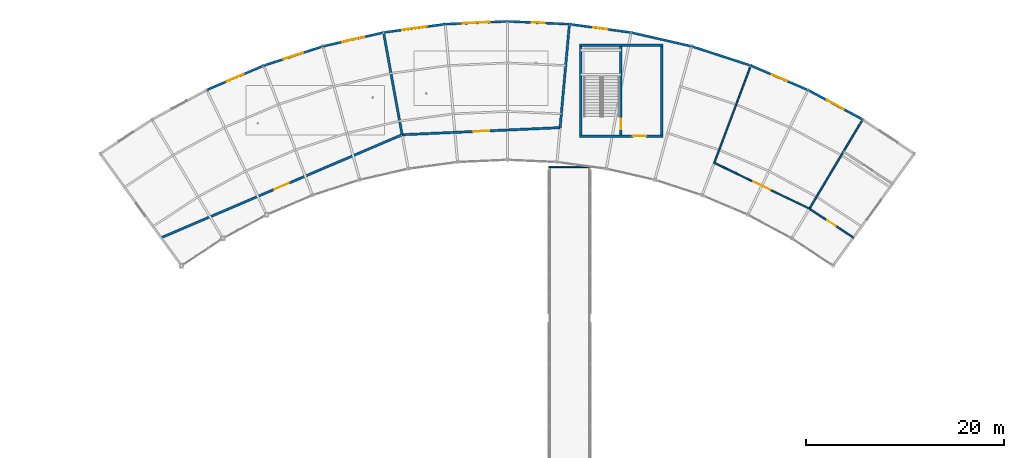
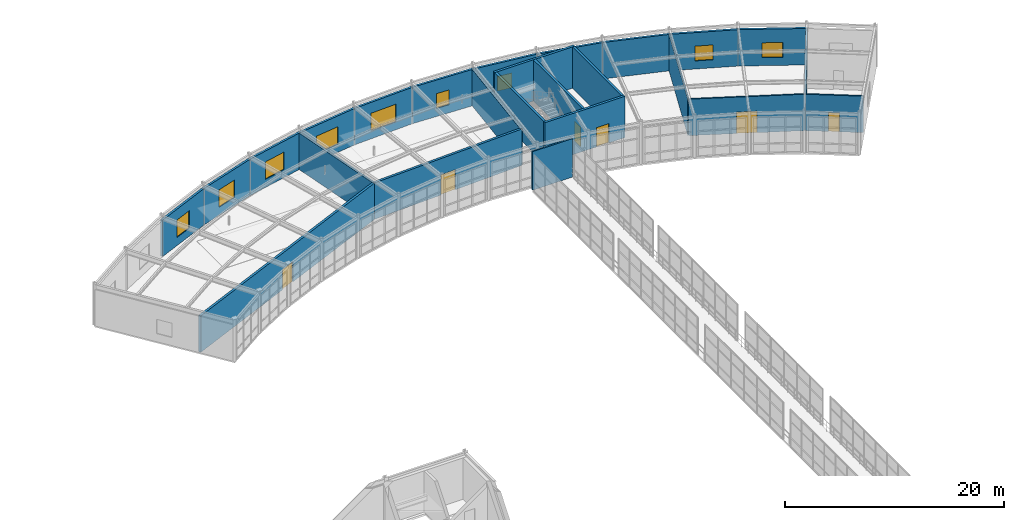
# One storey, part 90 of 105: 25 walls, 9 windows, 6 doors, 15 openings.
"""IFC4 building model written with IfcOpenShell, lengths in metres."""

from ifc_helpers import new_model, si_unit, direction, frame, frame_2d, origin, place, context, subcontext, project, spatial, rectangle, extrude, material, layer, layer_set, type_object, element, fill, save


model = new_model("IFC4")

# Units and contexts
model_context = context("Model", 3, precision=1e-05, world=origin(), true_north=direction((0.0, 1.0)))
body_context = subcontext(model_context, "Body", "Model", "MODEL_VIEW")
ifc_project = project(units=[si_unit("LENGTHUNIT", "METRE"), si_unit("AREAUNIT", "SQUARE_METRE"), si_unit("VOLUMEUNIT", "CUBIC_METRE"), si_unit("PLANEANGLEUNIT", "RADIAN"), si_unit("MASSUNIT", "GRAM", prefix="KILO")], contexts=[model_context])

# Site, building, storey
site_placement = place(None, origin())
site = spatial("IfcSite", under=ifc_project, at=site_placement, CompositionType="ELEMENT")
building_placement = place(site_placement, origin())
building = spatial("IfcBuilding", under=site, at=building_placement, Name="Selat Folded Stagehouse", CompositionType="ELEMENT")
storey_placement = place(building_placement, frame((0.0, 0.0, 10.199951171875)))
storey = spatial("IfcBuildingStorey", under=building, at=storey_placement, Name="L02", CompositionType="ELEMENT", Elevation=10.199951171875)

# Wall, opening, door
ifc_material_1 = material(Name="Double-stud acoustic gypsum and mineral wool", Category="gypsum")
ifc_layer_1 = layer(ifc_material_1, 0.239990234375)
ifc_layer_set_1 = layer_set([ifc_layer_1], Name="Double-stud acoustic gypsum and mineral wool")
wall_type_1 = type_object("IfcWallType", Name="WAL-ACOU-240", PredefinedType="PARTITIONING", material=ifc_layer_set_1)
wall_1_placement = place(storey_placement, frame((57.4267578125, 86.136474609375, 0.0), z_axis=(0.0, 0.0, 1.0), x_axis=(0.919528963336, 0.393022245664, 0.0)))
wall_1 = element("IfcWall", 1, at=wall_1_placement, inside=storey, type_object=wall_type_1, Name="L02 interior partition wall 081", PredefinedType="PARTITIONING", context=body_context, shape_type="SweptSolid", body=[
    extrude(rectangle(XDim=26.47998046875, YDim=0.239990234375, at=frame_2d((13.239990234375, 0.0))), origin(), (0.0, 0.0, 1.0), 4.05908203125),
])
opening_1_placement = place(wall_1_placement, frame((12.43994140625, 0.0, 0.0)))
opening_1 = element("IfcOpeningElement", 2, at=opening_1_placement, cuts=wall_1, Name="Opening RD-01", PredefinedType="OPENING", context=body_context, shape_type="SweptSolid", body=[
    extrude(rectangle(XDim=1.60009765625, YDim=2.25, at=frame_2d((0.800048828125, 1.125))), frame((0.0, 0.1298828125, 0.0), z_axis=(0.0, -1.0, 0.0), x_axis=(1.0, 0.0, 0.0)), (0.0, 0.0, 1.0), 0.260009765625),
])
ifc_material_2 = material(Name="Rehearsal studio acoustic leaf-and-half door", Category="wood")
door_type_1 = type_object("IfcDoorType", Name="DOR-REH-1600", OperationType="NOTDEFINED", PredefinedType="DOOR", material=ifc_material_2)
door_1_placement = place(opening_1_placement, origin())
door_1 = element("IfcDoor", 3, at=door_1_placement, inside=storey, type_object=door_type_1, Name="L02 interior door IWAL-L02-081-1", OperationType="SINGLE_SWING_LEFT", OverallHeight=2.25, OverallWidth=1.60009765625, PredefinedType="DOOR", context=body_context, shape_type="SweptSolid", body=[
    extrude(rectangle(XDim=1.60009765625, YDim=2.25, at=frame_2d((0.800048828125, 1.125))), frame((0.0, 0.02490234375, 0.0), z_axis=(0.0, -1.0, 0.0), x_axis=(1.0, 0.0, 0.0)), (0.0, 0.0, 1.0), 0.050048828125),
])
fill(opening_1, door_1)

wall_2_placement = place(storey_placement, frame((81.77587890625, 96.543701171875, 0.0), z_axis=(0.0, 0.0, 1.0), x_axis=(0.998992662888, 0.044873817482, 0.0)))
wall_2 = element("IfcWall", 4, at=wall_2_placement, inside=storey, type_object=wall_type_1, Name="L02 interior partition wall 082", PredefinedType="PARTITIONING", context=body_context, shape_type="SweptSolid", body=[
    extrude(rectangle(XDim=15.9736328125, YDim=0.239990234375, at=frame_2d((7.98681640625, 0.0))), origin(), (0.0, 0.0, 1.0), 4.05908203125),
])
opening_2_placement = place(wall_2_placement, frame((7.186767578125, 0.0, 0.0)))
opening_2 = element("IfcOpeningElement", 5, at=opening_2_placement, cuts=wall_2, Name="Opening RD-01", PredefinedType="OPENING", context=body_context, shape_type="SweptSolid", body=[
    extrude(rectangle(XDim=1.60009765625, YDim=2.25, at=frame_2d((0.800048828125, 1.125))), frame((0.0, 0.1298828125, 0.0), z_axis=(0.0, -1.0, 0.0), x_axis=(1.0, 0.0, 0.0)), (0.0, 0.0, 1.0), 0.260009765625),
])
door_2_placement = place(opening_2_placement, origin())
door_2 = element("IfcDoor", 6, at=door_2_placement, inside=storey, type_object=door_type_1, Name="L02 interior door IWAL-L02-082-1", OperationType="SINGLE_SWING_RIGHT", OverallHeight=2.25, OverallWidth=1.60009765625, PredefinedType="DOOR", context=body_context, shape_type="SweptSolid", body=[
    extrude(rectangle(XDim=1.60009765625, YDim=2.25, at=frame_2d((0.800048828125, 1.125))), frame((0.0, 0.02490234375, 0.0), z_axis=(0.0, -1.0, 0.0), x_axis=(1.0, 0.0, 0.0)), (0.0, 0.0, 1.0), 0.050048828125),
])
fill(opening_2, door_2)

# Walls
for number, where, z_axis, x_axis, name in (
    (7, (81.77587890625, 96.543701171875, 0.0), (0.0, 0.0, 1.0), (-0.178570326803, 0.983927150954, 0.0), "L02 interior partition wall 086"),
    (8, (97.7333984375, 97.260498046875, 0.0), (0.0, 0.0, 1.0), (0.089657304348, 0.995972674212, 0.0), "L02 interior partition wall 087"),
):
    element("IfcWall", number, at=place(storey_placement, frame(where, z_axis=z_axis, x_axis=x_axis)), inside=storey, type_object=wall_type_1, Name=name, PredefinedType="PARTITIONING", context=body_context, shape_type="SweptSolid", body=[
        extrude(rectangle(XDim=10.5, YDim=0.239990234375, at=frame_2d((5.25, 0.0))), origin(), (0.0, 0.0, 1.0), 4.05908203125),
    ])

# Wall, opening, door
ifc_material_3 = material(Name="Concrete C50/60", Category="concrete")
ifc_layer_2 = layer(ifc_material_3, 0.25)
ifc_layer_set_2 = layer_set([ifc_layer_2], Name="Concrete C50/60")
wall_type_2 = type_object("IfcWallType", Name="WAL-CORE-250", PredefinedType="SHEAR", material=ifc_layer_set_2)
wall_3_placement = place(storey_placement, frame((108.125, 96.39990234375, 0.0), z_axis=(0.0, 0.0, 1.0), x_axis=(-1.0, 0.0, 0.0)))
wall_3 = element("IfcWall", 9, at=wall_3_placement, inside=storey, type_object=wall_type_2, Name="L02 CR-6 south shear wall", PredefinedType="SHEAR", context=body_context, shape_type="SweptSolid", body=[
    extrude(rectangle(XDim=8.449951171875, YDim=0.25, at=frame_2d((4.22509765625, 0.0))), origin(), (0.0, 0.0, 1.0), 4.60009765625),
])
opening_3_placement = place(wall_3_placement, frame((1.699951171875, 0.0, 0.0)))
opening_3 = element("IfcOpeningElement", 10, at=opening_3_placement, cuts=wall_3, Name="Opening FD-60B", PredefinedType="OPENING", context=body_context, shape_type="SweptSolid", body=[
    extrude(rectangle(XDim=1.35009765625, YDim=2.14990234375, at=frame_2d((0.675048828125, 1.074951171875))), frame((0.0, 0.135009765625, 0.0), z_axis=(0.0, -1.0, 0.0), x_axis=(1.0, 0.0, 0.0)), (0.0, 0.0, 1.0), 0.27001953125),
])
ifc_material_4 = material(Name="Protected stair escape door", Category="wood")
door_type_2 = type_object("IfcDoorType", Name="DOR-STR-1350", OperationType="NOTDEFINED", PredefinedType="DOOR", material=ifc_material_4)
door_3_placement = place(opening_3_placement, origin())
door_3 = element("IfcDoor", 11, at=door_3_placement, inside=storey, type_object=door_type_2, Name="L02 CR-6 core lobby fire door", OperationType="SINGLE_SWING_RIGHT", OverallHeight=2.14990234375, OverallWidth=1.35009765625, PredefinedType="DOOR", context=body_context, shape_type="SweptSolid", body=[
    extrude(rectangle(XDim=1.35009765625, YDim=2.14990234375, at=frame_2d((0.675048828125, 1.074951171875))), frame((0.0, 0.02490234375, 0.0), z_axis=(0.0, -1.0, 0.0), x_axis=(1.0, 0.0, 0.0)), (0.0, 0.0, 1.0), 0.050048828125),
])
fill(opening_3, door_3)

# Walls
wall_4_placement = place(storey_placement, frame((99.675048828125, 105.60009765625, 0.0), z_axis=(0.0, 0.0, 1.0), x_axis=(1.0, 0.0, 0.0)))
element("IfcWall", 12, at=wall_4_placement, inside=storey, type_object=wall_type_2, Name="L02 CR-6 north shear wall", PredefinedType="SHEAR", context=body_context, shape_type="SweptSolid", body=[
    extrude(rectangle(XDim=8.449951171875, YDim=0.25, at=frame_2d((4.22509765625, 0.0))), origin(), (0.0, 0.0, 1.0), 4.60009765625),
])
for number, where, z_axis, x_axis, name in (
    (13, (99.800048828125, 96.52490234375, 0.0), (0.0, 0.0, 1.0), (0.0, 1.0, 0.0), "L02 CR-6 west shear wall"),
    (14, (108.0, 105.47509765625, 0.0), (0.0, 0.0, 1.0), (0.0, -1.0, 0.0), "L02 CR-6 east shear wall"),
):
    element("IfcWall", number, at=place(storey_placement, frame(where, z_axis=z_axis, x_axis=x_axis)), inside=storey, type_object=wall_type_2, Name=name, PredefinedType="SHEAR", context=body_context, shape_type="SweptSolid", body=[
        extrude(rectangle(XDim=8.9501953125, YDim=0.25, at=frame_2d((4.47509765625, 0.0))), origin(), (0.0, 0.0, 1.0), 4.60009765625),
    ])

# Wall, opening, door
wall_5_placement = place(storey_placement, frame((103.8798828125, 105.47509765625, 0.0), z_axis=(0.0, 0.0, 1.0), x_axis=(0.0, -1.0, 0.0)))
wall_5 = element("IfcWall", 15, at=wall_5_placement, inside=storey, type_object=wall_type_2, Name="L02 CR-6 internal core divider wall", PredefinedType="SHEAR", context=body_context, shape_type="SweptSolid", body=[
    extrude(rectangle(XDim=8.9501953125, YDim=0.25, at=frame_2d((4.47509765625, 0.0))), origin(), (0.0, 0.0, 1.0), 4.60009765625),
])
opening_4_placement = place(wall_5_placement, frame((7.300048828125, 0.0, 0.0)))
opening_4 = element("IfcOpeningElement", 16, at=opening_4_placement, cuts=wall_5, Name="Opening FD-60", PredefinedType="OPENING", context=body_context, shape_type="SweptSolid", body=[
    extrude(rectangle(XDim=1.10009765625, YDim=2.14990234375, at=frame_2d((0.550048828125, 1.074951171875))), frame((0.0, 0.135009765625, 0.0), z_axis=(0.0, -1.0, 0.0), x_axis=(1.0, 0.0, 0.0)), (0.0, 0.0, 1.0), 0.27001953125),
])
ifc_material_5 = material(Name="Fire-rated timber core door", Category="wood")
door_type_3 = type_object("IfcDoorType", Name="DOR-FIRE-60", OperationType="NOTDEFINED", PredefinedType="DOOR", material=ifc_material_5)
door_4_placement = place(opening_4_placement, origin())
door_4 = element("IfcDoor", 17, at=door_4_placement, inside=storey, type_object=door_type_3, Name="L02 CR-6 protected stair fire door", OperationType="SINGLE_SWING_LEFT", OverallHeight=2.14990234375, OverallWidth=1.10009765625, PredefinedType="DOOR", context=body_context, shape_type="SweptSolid", body=[
    extrude(rectangle(XDim=1.10009765625, YDim=2.14990234375, at=frame_2d((0.550048828125, 1.074951171875))), frame((0.0, 0.02490234375, 0.0), z_axis=(0.0, -1.0, 0.0), x_axis=(1.0, 0.0, 0.0)), (0.0, 0.0, 1.0), 0.050048828125),
])
fill(opening_4, door_4)

# Wall, opening, window
ifc_material_6 = material(Name="Precast concrete C40/50", Category="concrete")
ifc_layer_3 = layer(ifc_material_6, 0.22998046875)
ifc_layer_set_3 = layer_set([ifc_layer_3], Name="Precast concrete C40/50")
wall_type_3 = type_object("IfcWallType", Name="WAL-EXT-230", PredefinedType="STANDARD", material=ifc_layer_set_3)
wall_6_placement = place(storey_placement, frame((62.028076171875, 101.06787109375, 0.0), z_axis=(0.0, 0.0, 1.0), x_axis=(0.919534614305, 0.393009024189, 0.0)))
wall_6 = element("IfcWall", 18, at=wall_6_placement, inside=storey, type_object=wall_type_3, Name="L02 exterior facade wall EW-L02-V6OUT-02", PredefinedType="STANDARD", context=body_context, shape_type="SweptSolid", body=[
    extrude(rectangle(XDim=6.281005859375, YDim=0.22998046875, at=frame_2d((3.140625, 0.0))), origin(), (0.0, 0.0, 1.0), 4.05908203125),
])
opening_5_placement = place(wall_6_placement, frame((2.190673828125, 0.0, 0.89990234375)))
opening_5 = element("IfcOpeningElement", 19, at=opening_5_placement, cuts=wall_6, Name="Opening WN-31", PredefinedType="OPENING", context=body_context, shape_type="SweptSolid", body=[
    extrude(rectangle(XDim=1.89990234375, YDim=1.949951171875, at=frame_2d((0.949951171875, 0.97509765625))), frame((0.0, 0.125, 0.0), z_axis=(0.0, -1.0, 0.0), x_axis=(1.0, 0.0, 0.0)), (0.0, 0.0, 1.0), 0.25),
])
ifc_material_7 = material(Name="Thermally broken aluminium and acoustic low-E glass", Category="aluminium")
window_type_1 = type_object("IfcWindowType", Name="WIN-ED-1900x1950", PartitioningType="SINGLE_PANEL", PredefinedType="WINDOW", material=ifc_material_7)
window_1_placement = place(opening_5_placement, origin())
window_1 = element("IfcWindow", 20, at=window_1_placement, inside=storey, type_object=window_type_1, Name="L02 exterior window EW-L02-V6OUT-02-1", OverallHeight=1.949951171875, OverallWidth=1.89990234375, PartitioningType="SINGLE_PANEL", PredefinedType="WINDOW", context=body_context, shape_type="SweptSolid", body=[
    extrude(rectangle(XDim=1.89990234375, YDim=1.949951171875, at=frame_2d((0.949951171875, 0.97509765625))), frame((0.0, 0.030029296875, 0.0), z_axis=(0.0, -1.0, 0.0), x_axis=(1.0, 0.0, 0.0)), (0.0, 0.0, 1.0), 0.06005859375),
])
fill(opening_5, window_1)

wall_7_placement = place(storey_placement, frame((67.8037109375, 103.536376953125, 0.0), z_axis=(0.0, 0.0, 1.0), x_axis=(0.951058059905, 0.309012243593, 0.0)))
wall_7 = element("IfcWall", 21, at=wall_7_placement, inside=storey, type_object=wall_type_3, Name="L02 exterior facade wall EW-L02-V6OUT-03", PredefinedType="STANDARD", context=body_context, shape_type="SweptSolid", body=[
    extrude(rectangle(XDim=6.281005859375, YDim=0.22998046875, at=frame_2d((3.140625, 0.0))), origin(), (0.0, 0.0, 1.0), 4.05908203125),
])
opening_6_placement = place(wall_7_placement, frame((2.090576171875, 0.0, 0.89990234375)))
opening_6 = element("IfcOpeningElement", 22, at=opening_6_placement, cuts=wall_7, Name="Opening WN-30", PredefinedType="OPENING", context=body_context, shape_type="SweptSolid", body=[
    extrude(rectangle(XDim=2.10009765625, YDim=1.949951171875, at=frame_2d((1.050048828125, 0.97509765625))), frame((0.0, 0.125, 0.0), z_axis=(0.0, -1.0, 0.0), x_axis=(1.0, 0.0, 0.0)), (0.0, 0.0, 1.0), 0.25),
])
window_type_2 = type_object("IfcWindowType", Name="WIN-ED-2100x1950", PartitioningType="SINGLE_PANEL", PredefinedType="WINDOW", material=ifc_material_7)
window_2_placement = place(opening_6_placement, origin())
window_2 = element("IfcWindow", 23, at=window_2_placement, inside=storey, type_object=window_type_2, Name="L02 exterior window EW-L02-V6OUT-03-1", OverallHeight=1.949951171875, OverallWidth=2.10009765625, PartitioningType="SINGLE_PANEL", PredefinedType="WINDOW", context=body_context, shape_type="SweptSolid", body=[
    extrude(rectangle(XDim=2.10009765625, YDim=1.949951171875, at=frame_2d((1.050048828125, 0.97509765625))), frame((0.0, 0.030029296875, 0.0), z_axis=(0.0, -1.0, 0.0), x_axis=(1.0, 0.0, 0.0)), (0.0, 0.0, 1.0), 0.06005859375),
])
fill(opening_6, window_2)

wall_8_placement = place(storey_placement, frame((73.77734375, 105.477294921875, 0.0), z_axis=(0.0, 0.0, 1.0), x_axis=(0.974926249486, 0.222528218575, 0.0)))
wall_8 = element("IfcWall", 24, at=wall_8_placement, inside=storey, type_object=wall_type_3, Name="L02 exterior facade wall EW-L02-V6OUT-04", PredefinedType="STANDARD", context=body_context, shape_type="SweptSolid", body=[
    extrude(rectangle(XDim=6.281005859375, YDim=0.22998046875, at=frame_2d((3.140625, 0.0))), origin(), (0.0, 0.0, 1.0), 4.05908203125),
])
opening_7_placement = place(wall_8_placement, frame((1.990478515625, 0.0, 0.89990234375)))
opening_7 = element("IfcOpeningElement", 25, at=opening_7_placement, cuts=wall_8, Name="Opening WN-29", PredefinedType="OPENING", context=body_context, shape_type="SweptSolid", body=[
    extrude(rectangle(XDim=2.300048828125, YDim=1.949951171875, at=frame_2d((1.14990234375, 0.97509765625))), frame((0.0, 0.125, 0.0), z_axis=(0.0, -1.0, 0.0), x_axis=(1.0, 0.0, 0.0)), (0.0, 0.0, 1.0), 0.25),
])
window_type_3 = type_object("IfcWindowType", Name="WIN-ED-2300x1950", PartitioningType="SINGLE_PANEL", PredefinedType="WINDOW", material=ifc_material_7)
window_3_placement = place(opening_7_placement, origin())
window_3 = element("IfcWindow", 26, at=window_3_placement, inside=storey, type_object=window_type_3, Name="L02 exterior window EW-L02-V6OUT-04-1", OverallHeight=1.949951171875, OverallWidth=2.300048828125, PartitioningType="SINGLE_PANEL", PredefinedType="WINDOW", context=body_context, shape_type="SweptSolid", body=[
    extrude(rectangle(XDim=2.300048828125, YDim=1.949951171875, at=frame_2d((1.14990234375, 0.97509765625))), frame((0.0, 0.030029296875, 0.0), z_axis=(0.0, -1.0, 0.0), x_axis=(1.0, 0.0, 0.0)), (0.0, 0.0, 1.0), 0.06005859375),
])
fill(opening_7, window_3)

wall_9_placement = place(storey_placement, frame((79.90087890625, 106.875, 0.0), z_axis=(0.0, 0.0, 1.0), x_axis=(0.990947344037, 0.134251113014, 0.0)))
wall_9 = element("IfcWall", 27, at=wall_9_placement, inside=storey, type_object=wall_type_3, Name="L02 exterior facade wall EW-L02-V6OUT-05", PredefinedType="STANDARD", context=body_context, shape_type="SweptSolid", body=[
    extrude(rectangle(XDim=6.28125, YDim=0.22998046875, at=frame_2d((3.140625, 0.0))), origin(), (0.0, 0.0, 1.0), 4.05908203125),
])
opening_8_placement = place(wall_9_placement, frame((1.890380859375, 0.0, 0.89990234375)))
opening_8 = element("IfcOpeningElement", 28, at=opening_8_placement, cuts=wall_9, Name="Opening WN-28", PredefinedType="OPENING", context=body_context, shape_type="SweptSolid", body=[
    extrude(rectangle(XDim=2.5, YDim=1.949951171875, at=frame_2d((1.25, 0.97509765625))), frame((0.0, 0.125, 0.0), z_axis=(0.0, -1.0, 0.0), x_axis=(1.0, 0.0, 0.0)), (0.0, 0.0, 1.0), 0.25),
])
window_type_4 = type_object("IfcWindowType", Name="WIN-ED-2500x1950", PartitioningType="SINGLE_PANEL", PredefinedType="WINDOW", material=ifc_material_7)
window_4_placement = place(opening_8_placement, origin())
window_4 = element("IfcWindow", 29, at=window_4_placement, inside=storey, type_object=window_type_4, Name="L02 exterior window EW-L02-V6OUT-05-1", OverallHeight=1.949951171875, OverallWidth=2.5, PartitioningType="SINGLE_PANEL", PredefinedType="WINDOW", context=body_context, shape_type="SweptSolid", body=[
    extrude(rectangle(XDim=2.5, YDim=1.949951171875, at=frame_2d((1.25, 0.97509765625))), frame((0.0, 0.030029296875, 0.0), z_axis=(0.0, -1.0, 0.0), x_axis=(1.0, 0.0, 0.0)), (0.0, 0.0, 1.0), 0.06005859375),
])
fill(opening_8, window_4)

wall_10_placement = place(storey_placement, frame((86.125244140625, 107.71826171875, 0.0), z_axis=(0.0, 0.0, 1.0), x_axis=(0.998993472837, 0.044855782563, 0.0)))
wall_10 = element("IfcWall", 30, at=wall_10_placement, inside=storey, type_object=wall_type_3, Name="L02 exterior facade wall EW-L02-V6OUT-06", PredefinedType="STANDARD", context=body_context, shape_type="SweptSolid", body=[
    extrude(rectangle(XDim=6.281005859375, YDim=0.22998046875, at=frame_2d((3.140625, 0.0))), origin(), (0.0, 0.0, 1.0), 4.05908203125),
])
opening_9_placement = place(wall_10_placement, frame((1.79052734375, 0.0, 0.89990234375)))
opening_9 = element("IfcOpeningElement", 31, at=opening_9_placement, cuts=wall_10, Name="Opening WN-27", PredefinedType="OPENING", context=body_context, shape_type="SweptSolid", body=[
    extrude(rectangle(XDim=2.699951171875, YDim=1.949951171875, at=frame_2d((1.35009765625, 0.97509765625))), frame((0.0, 0.125, 0.0), z_axis=(0.0, -1.0, 0.0), x_axis=(1.0, 0.0, 0.0)), (0.0, 0.0, 1.0), 0.25),
])
window_type_5 = type_object("IfcWindowType", Name="WIN-ED-2700x1950", PartitioningType="SINGLE_PANEL", PredefinedType="WINDOW", material=ifc_material_7)
window_5_placement = place(opening_9_placement, origin())
window_5 = element("IfcWindow", 32, at=window_5_placement, inside=storey, type_object=window_type_5, Name="L02 exterior window EW-L02-V6OUT-06-1", OverallHeight=1.949951171875, OverallWidth=2.699951171875, PartitioningType="SINGLE_PANEL", PredefinedType="WINDOW", context=body_context, shape_type="SweptSolid", body=[
    extrude(rectangle(XDim=2.699951171875, YDim=1.949951171875, at=frame_2d((1.35009765625, 0.97509765625))), frame((0.0, 0.030029296875, 0.0), z_axis=(0.0, -1.0, 0.0), x_axis=(1.0, 0.0, 0.0)), (0.0, 0.0, 1.0), 0.06005859375),
])
fill(opening_9, window_5)

wall_11_placement = place(storey_placement, frame((92.39990234375, 108.0, 0.0), z_axis=(0.0, 0.0, 1.0), x_axis=(0.99899355104, -0.044854040849, 0.0)))
wall_11 = element("IfcWall", 33, at=wall_11_placement, inside=storey, type_object=wall_type_3, Name="L02 exterior facade wall EW-L02-V6OUT-07", PredefinedType="STANDARD", context=body_context, shape_type="SweptSolid", body=[
    extrude(rectangle(XDim=6.28125, YDim=0.22998046875, at=frame_2d((3.140625, 0.0))), origin(), (0.0, 0.0, 1.0), 4.05908203125),
])
opening_10_placement = place(wall_11_placement, frame((2.490478515625, 0.0, 0.89990234375)))
opening_10 = element("IfcOpeningElement", 34, at=opening_10_placement, cuts=wall_11, Name="Opening WN-38", PredefinedType="OPENING", context=body_context, shape_type="SweptSolid", body=[
    extrude(rectangle(XDim=1.300048828125, YDim=1.64990234375, at=frame_2d((0.64990234375, 0.824951171875))), frame((0.0, 0.125, 0.0), z_axis=(0.0, -1.0, 0.0), x_axis=(1.0, 0.0, 0.0)), (0.0, 0.0, 1.0), 0.25),
])
window_type_6 = type_object("IfcWindowType", Name="WIN-OF-1300x1650", PartitioningType="SINGLE_PANEL", PredefinedType="WINDOW", material=ifc_material_7)
window_6_placement = place(opening_10_placement, origin())
window_6 = element("IfcWindow", 35, at=window_6_placement, inside=storey, type_object=window_type_6, Name="L02 exterior window EW-L02-V6OUT-07-1", OverallHeight=1.64990234375, OverallWidth=1.300048828125, PartitioningType="SINGLE_PANEL", PredefinedType="WINDOW", context=body_context, shape_type="SweptSolid", body=[
    extrude(rectangle(XDim=1.300048828125, YDim=1.64990234375, at=frame_2d((0.64990234375, 0.824951171875))), frame((0.0, 0.030029296875, 0.0), z_axis=(0.0, -1.0, 0.0), x_axis=(1.0, 0.0, 0.0)), (0.0, 0.0, 1.0), 0.06005859375),
])
fill(opening_10, window_6)

wall_12_placement = place(storey_placement, frame((98.6748046875, 107.71826171875, 0.0), z_axis=(0.0, 0.0, 1.0), x_axis=(0.990946643459, -0.134256284087, 0.0)))
wall_12 = element("IfcWall", 36, at=wall_12_placement, inside=storey, type_object=wall_type_3, Name="L02 exterior facade wall EW-L02-V6OUT-08", PredefinedType="STANDARD", context=body_context, shape_type="SweptSolid", body=[
    extrude(rectangle(XDim=6.281005859375, YDim=0.22998046875, at=frame_2d((3.140625, 0.0))), origin(), (0.0, 0.0, 1.0), 4.05908203125),
])
opening_11_placement = place(wall_12_placement, frame((2.41552734375, 0.0, 0.89990234375)))
opening_11 = element("IfcOpeningElement", 37, at=opening_11_placement, cuts=wall_12, Name="Opening WN-37", PredefinedType="OPENING", context=body_context, shape_type="SweptSolid", body=[
    extrude(rectangle(XDim=1.449951171875, YDim=1.64990234375, at=frame_2d((0.72509765625, 0.824951171875))), frame((0.0, 0.125, 0.0), z_axis=(0.0, -1.0, 0.0), x_axis=(1.0, 0.0, 0.0)), (0.0, 0.0, 1.0), 0.25),
])
window_type_7 = type_object("IfcWindowType", Name="WIN-OF-1450x1650", PartitioningType="SINGLE_PANEL", PredefinedType="WINDOW", material=ifc_material_7)
window_7_placement = place(opening_11_placement, origin())
window_7 = element("IfcWindow", 38, at=window_7_placement, inside=storey, type_object=window_type_7, Name="L02 exterior window EW-L02-V6OUT-08-1", OverallHeight=1.64990234375, OverallWidth=1.449951171875, PartitioningType="SINGLE_PANEL", PredefinedType="WINDOW", context=body_context, shape_type="SweptSolid", body=[
    extrude(rectangle(XDim=1.449951171875, YDim=1.64990234375, at=frame_2d((0.72509765625, 0.824951171875))), frame((0.0, 0.030029296875, 0.0), z_axis=(0.0, -1.0, 0.0), x_axis=(1.0, 0.0, 0.0)), (0.0, 0.0, 1.0), 0.06005859375),
])
fill(opening_11, window_7)

# Walls
wall_13_placement = place(storey_placement, frame((104.89892578125, 106.875, 0.0), z_axis=(0.0, 0.0, 1.0), x_axis=(0.974928174151, -0.22251978619, 0.0)))
element("IfcWall", 39, at=wall_13_placement, inside=storey, type_object=wall_type_3, Name="L02 exterior facade wall EW-L02-V6OUT-09", PredefinedType="STANDARD", context=body_context, shape_type="SweptSolid", body=[
    extrude(rectangle(XDim=6.28125, YDim=0.22998046875, at=frame_2d((3.140625, 0.0))), origin(), (0.0, 0.0, 1.0), 4.05908203125),
])
wall_14_placement = place(storey_placement, frame((111.022705078125, 105.477294921875, 0.0), z_axis=(0.0, 0.0, 1.0), x_axis=(0.951054348109, -0.309023667285, 0.0)))
element("IfcWall", 40, at=wall_14_placement, inside=storey, type_object=wall_type_3, Name="L02 exterior facade wall EW-L02-V6OUT-10", PredefinedType="STANDARD", context=body_context, shape_type="SweptSolid", body=[
    extrude(rectangle(XDim=6.28076171875, YDim=0.22998046875, at=frame_2d((3.140380859375, 0.0))), origin(), (0.0, 0.0, 1.0), 4.05908203125),
])

# Wall, opening, window
wall_15_placement = place(storey_placement, frame((116.99609375, 103.536376953125, 0.0), z_axis=(0.0, 0.0, 1.0), x_axis=(0.919540617607, -0.392994977793, 0.0)))
wall_15 = element("IfcWall", 41, at=wall_15_placement, inside=storey, type_object=wall_type_3, Name="L02 exterior facade wall EW-L02-V6OUT-11", PredefinedType="STANDARD", context=body_context, shape_type="SweptSolid", body=[
    extrude(rectangle(XDim=6.28125, YDim=0.22998046875, at=frame_2d((3.140625, 0.0))), origin(), (0.0, 0.0, 1.0), 4.05908203125),
])
opening_12_placement = place(wall_15_placement, frame((2.315673828125, 0.0, 0.89990234375)))
opening_12 = element("IfcOpeningElement", 42, at=opening_12_placement, cuts=wall_15, Name="Opening WN-36", PredefinedType="OPENING", context=body_context, shape_type="SweptSolid", body=[
    extrude(rectangle(XDim=1.64990234375, YDim=1.64990234375, at=frame_2d((0.824951171875, 0.824951171875))), frame((0.0, 0.125, 0.0), z_axis=(0.0, -1.0, 0.0), x_axis=(1.0, 0.0, 0.0)), (0.0, 0.0, 1.0), 0.25),
])
window_type_8 = type_object("IfcWindowType", Name="WIN-OF-1650x1650", PartitioningType="SINGLE_PANEL", PredefinedType="WINDOW", material=ifc_material_7)
window_8_placement = place(opening_12_placement, origin())
window_8 = element("IfcWindow", 43, at=window_8_placement, inside=storey, type_object=window_type_8, Name="L02 exterior window EW-L02-V6OUT-11-1", OverallHeight=1.64990234375, OverallWidth=1.64990234375, PartitioningType="SINGLE_PANEL", PredefinedType="WINDOW", context=body_context, shape_type="SweptSolid", body=[
    extrude(rectangle(XDim=1.64990234375, YDim=1.64990234375, at=frame_2d((0.824951171875, 0.824951171875))), frame((0.0, 0.030029296875, 0.0), z_axis=(0.0, -1.0, 0.0), x_axis=(1.0, 0.0, 0.0)), (0.0, 0.0, 1.0), 0.06005859375),
])
fill(opening_12, window_8)

wall_16_placement = place(storey_placement, frame((122.77197265625, 101.06787109375, 0.0), z_axis=(0.0, 0.0, 1.0), x_axis=(0.880582156138, -0.473893517883, 0.0)))
wall_16 = element("IfcWall", 44, at=wall_16_placement, inside=storey, type_object=wall_type_3, Name="L02 exterior facade wall EW-L02-V6OUT-12", PredefinedType="STANDARD", context=body_context, shape_type="SweptSolid", body=[
    extrude(rectangle(XDim=6.281005859375, YDim=0.22998046875, at=frame_2d((3.140625, 0.0))), origin(), (0.0, 0.0, 1.0), 4.05908203125),
])
opening_13_placement = place(wall_16_placement, frame((2.1904296875, 0.0, 0.89990234375)))
opening_13 = element("IfcOpeningElement", 45, at=opening_13_placement, cuts=wall_16, Name="Opening WN-35", PredefinedType="OPENING", context=body_context, shape_type="SweptSolid", body=[
    extrude(rectangle(XDim=1.89990234375, YDim=1.64990234375, at=frame_2d((0.949951171875, 0.824951171875))), frame((0.0, 0.125, 0.0), z_axis=(0.0, -1.0, 0.0), x_axis=(1.0, 0.0, 0.0)), (0.0, 0.0, 1.0), 0.25),
])
window_type_9 = type_object("IfcWindowType", Name="WIN-OF-1900x1650", PartitioningType="SINGLE_PANEL", PredefinedType="WINDOW", material=ifc_material_7)
window_9_placement = place(opening_13_placement, origin())
window_9 = element("IfcWindow", 46, at=window_9_placement, inside=storey, type_object=window_type_9, Name="L02 exterior window EW-L02-V6OUT-12-1", OverallHeight=1.64990234375, OverallWidth=1.89990234375, PartitioningType="SINGLE_PANEL", PredefinedType="WINDOW", context=body_context, shape_type="SweptSolid", body=[
    extrude(rectangle(XDim=1.89990234375, YDim=1.64990234375, at=frame_2d((0.949951171875, 0.824951171875))), frame((0.0, 0.030029296875, 0.0), z_axis=(0.0, -1.0, 0.0), x_axis=(1.0, 0.0, 0.0)), (0.0, 0.0, 1.0), 0.06005859375),
])
fill(opening_13, window_9)

# Wall
ifc_material_8 = material(Name="Fire-rated drywall stud partition", Category="gypsum")
ifc_layer_4 = layer(ifc_material_8, 0.14990234375)
ifc_layer_set_4 = layer_set([ifc_layer_4], Name="Fire-rated drywall stud partition")
wall_type_4 = type_object("IfcWallType", Name="WAL-PART-150", PredefinedType="PARTITIONING", material=ifc_layer_set_4)
wall_17_placement = place(storey_placement, frame((96.60009765625, 93.300048828125, 0.0), z_axis=(0.0, 0.0, 1.0), x_axis=(1.0, 0.0, 0.0)))
element("IfcWall", 47, at=wall_17_placement, inside=storey, type_object=wall_type_4, Name="L02 interior partition wall 070", PredefinedType="PARTITIONING", context=body_context, shape_type="SweptSolid", body=[
    extrude(rectangle(XDim=4.199951171875, YDim=0.14990234375, at=frame_2d((2.10009765625, 0.0))), origin(), (0.0, 0.0, 1.0), 4.2919921875),
])

# Wall, opening, door
wall_18_placement = place(storey_placement, frame((113.306884765625, 93.7060546875, 0.0), z_axis=(0.0, 0.0, 1.0), x_axis=(0.900961574772, -0.433898883133, 0.0)))
wall_18 = element("IfcWall", 48, at=wall_18_placement, inside=storey, type_object=wall_type_4, Name="L02 interior partition wall 083", PredefinedType="PARTITIONING", context=body_context, shape_type="SweptSolid", body=[
    extrude(rectangle(XDim=10.6669921875, YDim=0.14990234375, at=frame_2d((5.33349609375, 0.0))), origin(), (0.0, 0.0, 1.0), 4.05908203125),
])
opening_14_placement = place(wall_18_placement, frame((4.408447265625, 0.0, 0.0)))
opening_14 = element("IfcOpeningElement", 49, at=opening_14_placement, cuts=wall_18, Name="Opening WD-02", PredefinedType="OPENING", context=body_context, shape_type="SweptSolid", body=[
    extrude(rectangle(XDim=1.85009765625, YDim=2.39990234375, at=frame_2d((0.925048828125, 1.199951171875))), frame((0.0, 0.0849609375, 0.0), z_axis=(0.0, -1.0, 0.0), x_axis=(1.0, 0.0, 0.0)), (0.0, 0.0, 1.0), 0.169921875),
])
ifc_material_9 = material(Name="Wardrobe and props double door", Category="wood")
door_type_4 = type_object("IfcDoorType", Name="DOR-WK-1850", OperationType="NOTDEFINED", PredefinedType="DOOR", material=ifc_material_9)
door_5_placement = place(opening_14_placement, origin())
door_5 = element("IfcDoor", 50, at=door_5_placement, inside=storey, type_object=door_type_4, Name="L02 interior door IWAL-L02-083-1", OperationType="SINGLE_SWING_LEFT", OverallHeight=2.39990234375, OverallWidth=1.85009765625, PredefinedType="DOOR", context=body_context, shape_type="SweptSolid", body=[
    extrude(rectangle(XDim=1.85009765625, YDim=2.39990234375, at=frame_2d((0.925048828125, 1.199951171875))), frame((0.0, 0.02490234375, 0.0), z_axis=(0.0, -1.0, 0.0), x_axis=(1.0, 0.0, 0.0)), (0.0, 0.0, 1.0), 0.050048828125),
])
fill(opening_14, door_5)

# Wall
wall_19_placement = place(storey_placement, frame((113.306884765625, 93.7060546875, 0.0), z_axis=(0.0, 0.0, 1.0), x_axis=(0.351360409251, 0.93624028049, 0.0)))
element("IfcWall", 51, at=wall_19_placement, inside=storey, type_object=wall_type_4, Name="L02 interior partition wall 088", PredefinedType="PARTITIONING", context=body_context, shape_type="SweptSolid", body=[
    extrude(rectangle(XDim=10.499755859375, YDim=0.14990234375, at=frame_2d((5.25, 0.0))), origin(), (0.0, 0.0, 1.0), 4.05908203125),
])

# Wall, opening, door
ifc_material_10 = material(Name="Moisture-resistant sanitary service wall", Category="gypsum")
ifc_layer_5 = layer(ifc_material_10, 0.159912109375)
ifc_layer_set_5 = layer_set([ifc_layer_5], Name="Moisture-resistant sanitary service wall")
wall_type_5 = type_object("IfcWallType", Name="WAL-PLMB-160", PredefinedType="PLUMBINGWALL", material=ifc_layer_set_5)
wall_20_placement = place(storey_placement, frame((122.91748046875, 89.07763671875, 0.0), z_axis=(0.0, 0.0, 1.0), x_axis=(0.834581234797, -0.550884890449, 0.0)))
wall_20 = element("IfcWall", 52, at=wall_20_placement, inside=storey, type_object=wall_type_5, Name="L02 interior partition wall 084", PredefinedType="PLUMBINGWALL", context=body_context, shape_type="SweptSolid", body=[
    extrude(rectangle(XDim=5.3388671875, YDim=0.159912109375, at=frame_2d((2.66943359375, 0.0))), origin(), (0.0, 0.0, 1.0), 4.05908203125),
])
opening_15_placement = place(wall_20_placement, frame((2.159423828125, 0.0, 0.0)))
opening_15 = element("IfcOpeningElement", 53, at=opening_15_placement, cuts=wall_20, Name="Opening ID-01", PredefinedType="OPENING", context=body_context, shape_type="SweptSolid", body=[
    extrude(rectangle(XDim=1.02001953125, YDim=2.10009765625, at=frame_2d((0.510009765625, 1.050048828125))), frame((0.0, 0.08984375, 0.0), z_axis=(0.0, -1.0, 0.0), x_axis=(1.0, 0.0, 0.0)), (0.0, 0.0, 1.0), 0.179931640625),
])
ifc_material_11 = material(Name="Performers dressing suite door", Category="wood")
door_type_5 = type_object("IfcDoorType", Name="DOR-DRS-1020", OperationType="NOTDEFINED", PredefinedType="DOOR", material=ifc_material_11)
door_6_placement = place(opening_15_placement, origin())
door_6 = element("IfcDoor", 54, at=door_6_placement, inside=storey, type_object=door_type_5, Name="L02 interior door IWAL-L02-084-1", OperationType="SINGLE_SWING_RIGHT", OverallHeight=2.10009765625, OverallWidth=1.02001953125, PredefinedType="DOOR", context=body_context, shape_type="SweptSolid", body=[
    extrude(rectangle(XDim=1.02001953125, YDim=2.10009765625, at=frame_2d((0.510009765625, 1.050048828125))), frame((0.0, 0.02490234375, 0.0), z_axis=(0.0, -1.0, 0.0), x_axis=(1.0, 0.0, 0.0)), (0.0, 0.0, 1.0), 0.050048828125),
])
fill(opening_15, door_6)

# Wall
wall_21_placement = place(storey_placement, frame((122.91748046875, 89.07763671875, 0.0), z_axis=(0.0, 0.0, 1.0), x_axis=(0.512904878558, 0.858445447045, 0.0)))
element("IfcWall", 55, at=wall_21_placement, inside=storey, type_object=wall_type_5, Name="L02 interior partition wall 089", PredefinedType="PLUMBINGWALL", context=body_context, shape_type="SweptSolid", body=[
    extrude(rectangle(XDim=10.5, YDim=0.159912109375, at=frame_2d((5.25, 0.0))), origin(), (0.0, 0.0, 1.0), 4.05908203125),
])

save(model, "model.ifc")
